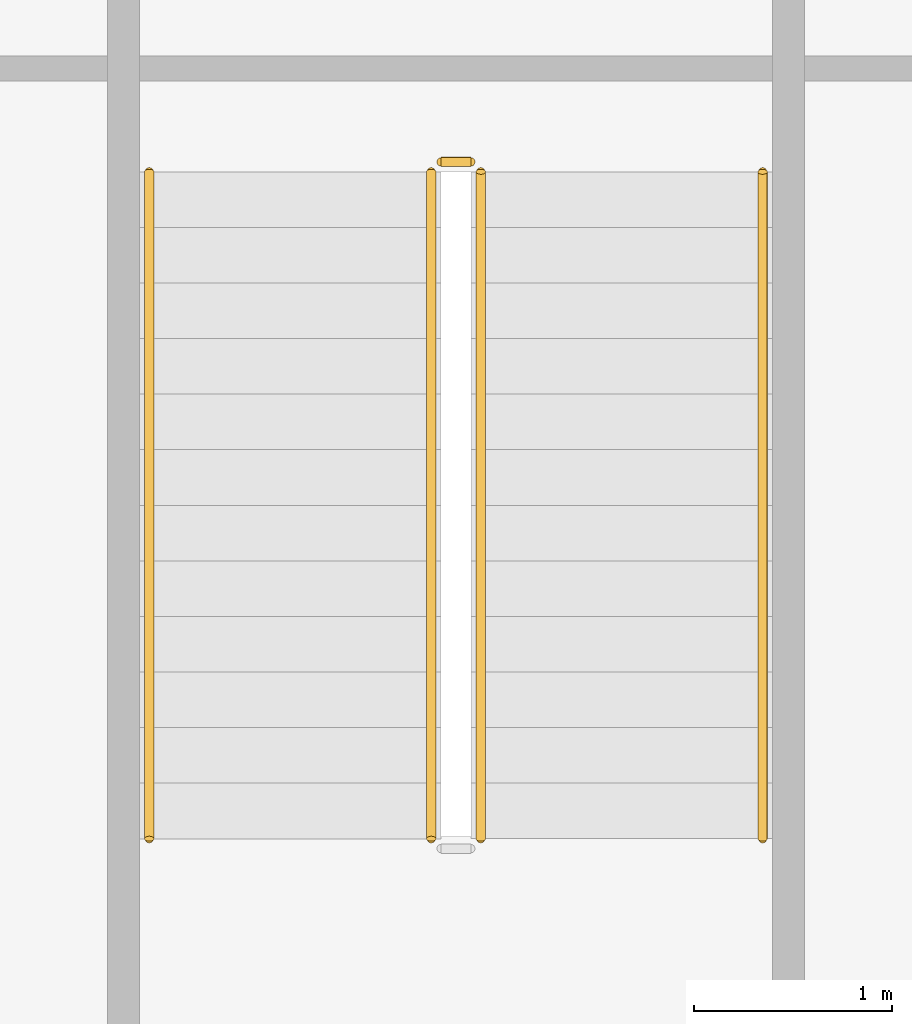
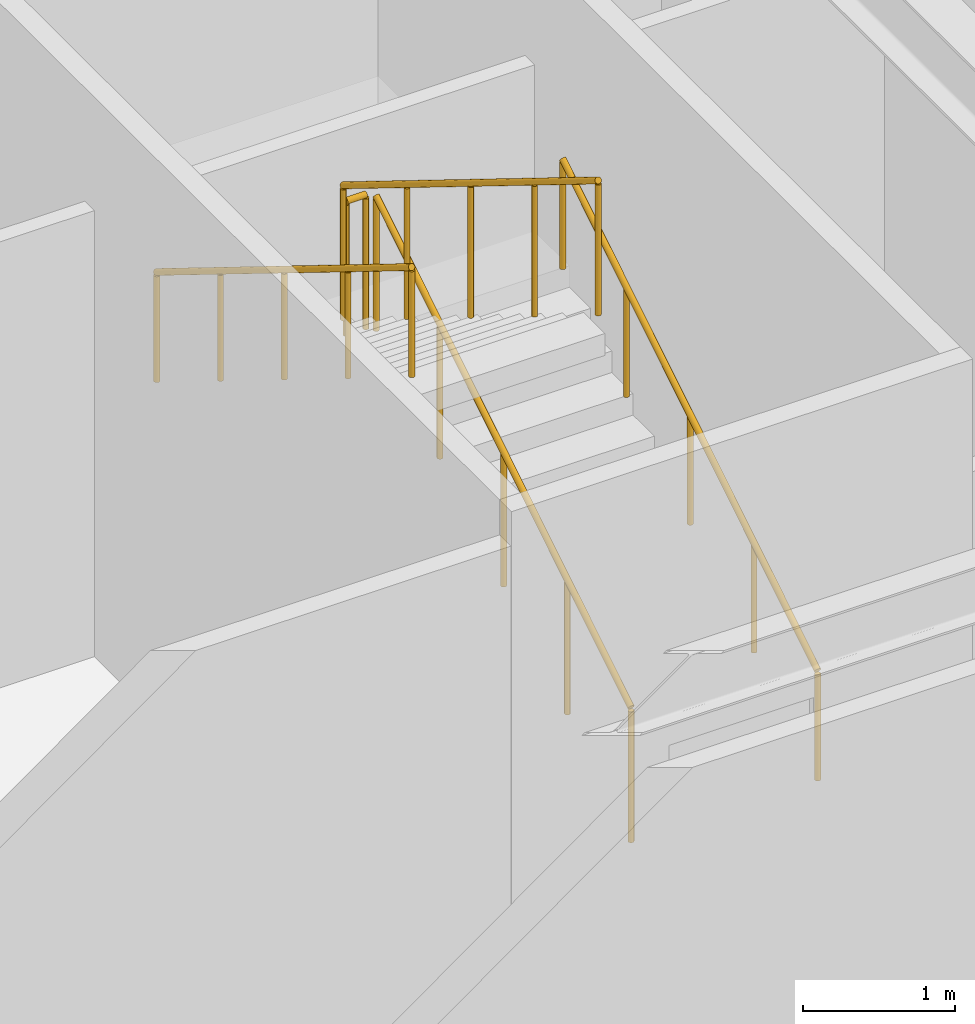
# One storey, part 47 of 47: 5 railings.
"""IFC4 building model written with IfcOpenShell, lengths in metres."""

from ifc_helpers import new_model, si_unit, direction, frame, origin, origin_2d, place, context, subcontext, project, spatial, circle, extrude, material, type_object, element, save


model = new_model("IFC4")

# Units and contexts
model_context = context("Model", 3, precision=1e-05, world=origin(), true_north=direction((0.0, 1.0)))
body_context = subcontext(model_context, "Body", "Model", "MODEL_VIEW")
ifc_project = project(units=[si_unit("LENGTHUNIT", "METRE"), si_unit("AREAUNIT", "SQUARE_METRE"), si_unit("VOLUMEUNIT", "CUBIC_METRE"), si_unit("PLANEANGLEUNIT", "RADIAN"), si_unit("MASSUNIT", "GRAM", prefix="KILO")], contexts=[model_context])

# Site, building, storey
site_placement = place(None, origin())
site = spatial("IfcSite", under=ifc_project, at=site_placement, CompositionType="ELEMENT")
building_placement = place(site_placement, origin())
building = spatial("IfcBuilding", under=site, at=building_placement, Name="Kolvaren Belvedere", CompositionType="ELEMENT")
storey_placement = place(building_placement, frame((0.0, 0.0, 5.5)))
storey = spatial("IfcBuildingStorey", under=building, at=storey_placement, Name="L02", CompositionType="ELEMENT", Elevation=5.5)

# Railings
ifc_material_1 = material(Name="Brushed stainless-steel handrail", Category="steel")
railing_type_1 = type_object("IfcRailingType", Name="RL-HANDRAIL-920", PredefinedType="HANDRAIL", material=ifc_material_1)
railing_1_placement = place(storey_placement, frame((25.14990234375, 3.320068359375, 0.173095703125)))
element("IfcRailing", 1, at=railing_1_placement, inside=storey, type_object=railing_type_1, Name="L02 ST-P2 stair handrail 1", PredefinedType="HANDRAIL", context=body_context, shape_type="SweptSolid", body=[
    extrude(circle(Radius=0.02392578125, at=origin_2d()), frame((0.0, 0.0, 0.8759765625), z_axis=(0.0, 0.850606129759, 0.525803396734), x_axis=(-1.0, 0.0, 0.0)), (0.0, 0.0, 1.0), 3.949951171875),
    extrude(circle(Radius=0.02099609375, at=origin_2d()), origin(), (0.0, 0.0, 1.0), 0.851806640625),
    extrude(circle(Radius=0.02099609375, at=origin_2d()), frame((0.0, 0.83984375, 0.519287109375)), (0.0, 0.0, 1.0), 0.851806640625),
    extrude(circle(Radius=0.02099609375, at=origin_2d()), frame((0.0, 1.679931640625, 1.03857421875)), (0.0, 0.0, 1.0), 0.851806640625),
    extrude(circle(Radius=0.02099609375, at=origin_2d()), frame((0.0, 2.52001953125, 1.5576171875)), (0.0, 0.0, 1.0), 0.851806640625),
    extrude(circle(Radius=0.02099609375, at=origin_2d()), frame((0.0, 3.35986328125, 2.076904296875)), (0.0, 0.0, 1.0), 0.851806640625),
])
railing_2_placement = place(storey_placement, frame((22.06005859375, 6.679931640625, 2.423095703125)))
element("IfcRailing", 2, at=railing_2_placement, inside=storey, type_object=railing_type_1, Name="L02 ST-P2 stair handrail 2", PredefinedType="HANDRAIL", context=body_context, shape_type="SweptSolid", body=[
    extrude(circle(Radius=0.02392578125, at=origin_2d()), frame((0.0, 0.0, 0.8759765625), z_axis=(0.0, -0.850606129759, 0.525803396734), x_axis=(1.0, 0.0, 0.0)), (0.0, 0.0, 1.0), 3.949951171875),
    extrude(circle(Radius=0.02099609375, at=origin_2d()), origin(), (0.0, 0.0, 1.0), 0.851806640625),
    extrude(circle(Radius=0.02099609375, at=origin_2d()), frame((0.0, -0.83984375, 0.519287109375)), (0.0, 0.0, 1.0), 0.851806640625),
    extrude(circle(Radius=0.02099609375, at=origin_2d()), frame((0.0, -1.679931640625, 1.03857421875)), (0.0, 0.0, 1.0), 0.851806640625),
    extrude(circle(Radius=0.02099609375, at=origin_2d()), frame((0.0, -2.52001953125, 1.5576171875)), (0.0, 0.0, 1.0), 0.851806640625),
    extrude(circle(Radius=0.02099609375, at=origin_2d()), frame((0.0, -3.35986328125, 2.076904296875)), (0.0, 0.0, 1.0), 0.851806640625),
])
ifc_material_2 = material(Name="Painted tubular steel stair guard", Category="steel")
railing_type_2 = type_object("IfcRailingType", Name="RL-STGUARD-1100", PredefinedType="GUARDRAIL", material=ifc_material_2)
railing_3_placement = place(storey_placement, frame((23.72998046875, 3.320068359375, 0.173095703125)))
element("IfcRailing", 3, at=railing_3_placement, inside=storey, type_object=railing_type_2, Name="L02 ST-P2 stair guard 1", PredefinedType="GUARDRAIL", context=body_context, shape_type="SweptSolid", body=[
    extrude(circle(Radius=0.02392578125, at=origin_2d()), frame((0.0, 0.0, 1.076171875), z_axis=(0.0, 0.850606129759, 0.525803396734), x_axis=(-1.0, 0.0, 0.0)), (0.0, 0.0, 1.0), 3.949951171875),
    extrude(circle(Radius=0.02099609375, at=origin_2d()), origin(), (0.0, 0.0, 1.0), 1.052001953125),
    extrude(circle(Radius=0.02099609375, at=origin_2d()), frame((0.0, 0.83984375, 0.519287109375)), (0.0, 0.0, 1.0), 1.052001953125),
    extrude(circle(Radius=0.02099609375, at=origin_2d()), frame((0.0, 1.679931640625, 1.03857421875)), (0.0, 0.0, 1.0), 1.052001953125),
    extrude(circle(Radius=0.02099609375, at=origin_2d()), frame((0.0, 2.52001953125, 1.5576171875)), (0.0, 0.0, 1.0), 1.052001953125),
    extrude(circle(Radius=0.02099609375, at=origin_2d()), frame((0.0, 3.35986328125, 2.076904296875)), (0.0, 0.0, 1.0), 1.052001953125),
])
railing_4_placement = place(storey_placement, frame((23.679931640625, 6.72998046875, 2.25)))
element("IfcRailing", 4, at=railing_4_placement, inside=storey, type_object=railing_type_2, Name="L02 ST-P2 stair guard 2", PredefinedType="GUARDRAIL", context=body_context, shape_type="SweptSolid", body=[
    extrude(circle(Radius=0.02392578125, at=origin_2d()), frame((0.0, 0.0, 1.076171875), z_axis=(-1.0, 0.0, 0.0), x_axis=(0.0, -1.0, 0.0)), (0.0, 0.0, 1.0), 0.14990234375),
    extrude(circle(Radius=0.02099609375, at=origin_2d()), origin(), (0.0, 0.0, 1.0), 1.052001953125),
    extrude(circle(Radius=0.02099609375, at=origin_2d()), frame((-0.14990234375, 0.0, 0.0)), (0.0, 0.0, 1.0), 1.052001953125),
])
railing_5_placement = place(storey_placement, frame((23.47998046875, 6.679931640625, 2.423095703125)))
element("IfcRailing", 5, at=railing_5_placement, inside=storey, type_object=railing_type_2, Name="L02 ST-P2 stair guard 3", PredefinedType="GUARDRAIL", context=body_context, shape_type="SweptSolid", body=[
    extrude(circle(Radius=0.02392578125, at=origin_2d()), frame((0.0, 0.0, 1.076171875), z_axis=(0.0, -0.850606129759, 0.525803396734), x_axis=(1.0, 0.0, 0.0)), (0.0, 0.0, 1.0), 3.949951171875),
    extrude(circle(Radius=0.02099609375, at=origin_2d()), origin(), (0.0, 0.0, 1.0), 1.052001953125),
    extrude(circle(Radius=0.02099609375, at=origin_2d()), frame((0.0, -0.83984375, 0.519287109375)), (0.0, 0.0, 1.0), 1.052001953125),
    extrude(circle(Radius=0.02099609375, at=origin_2d()), frame((0.0, -1.679931640625, 1.03857421875)), (0.0, 0.0, 1.0), 1.052001953125),
    extrude(circle(Radius=0.02099609375, at=origin_2d()), frame((0.0, -2.52001953125, 1.5576171875)), (0.0, 0.0, 1.0), 1.052001953125),
    extrude(circle(Radius=0.02099609375, at=origin_2d()), frame((0.0, -3.35986328125, 2.076904296875)), (0.0, 0.0, 1.0), 1.052001953125),
])

save(model, "model.ifc")
